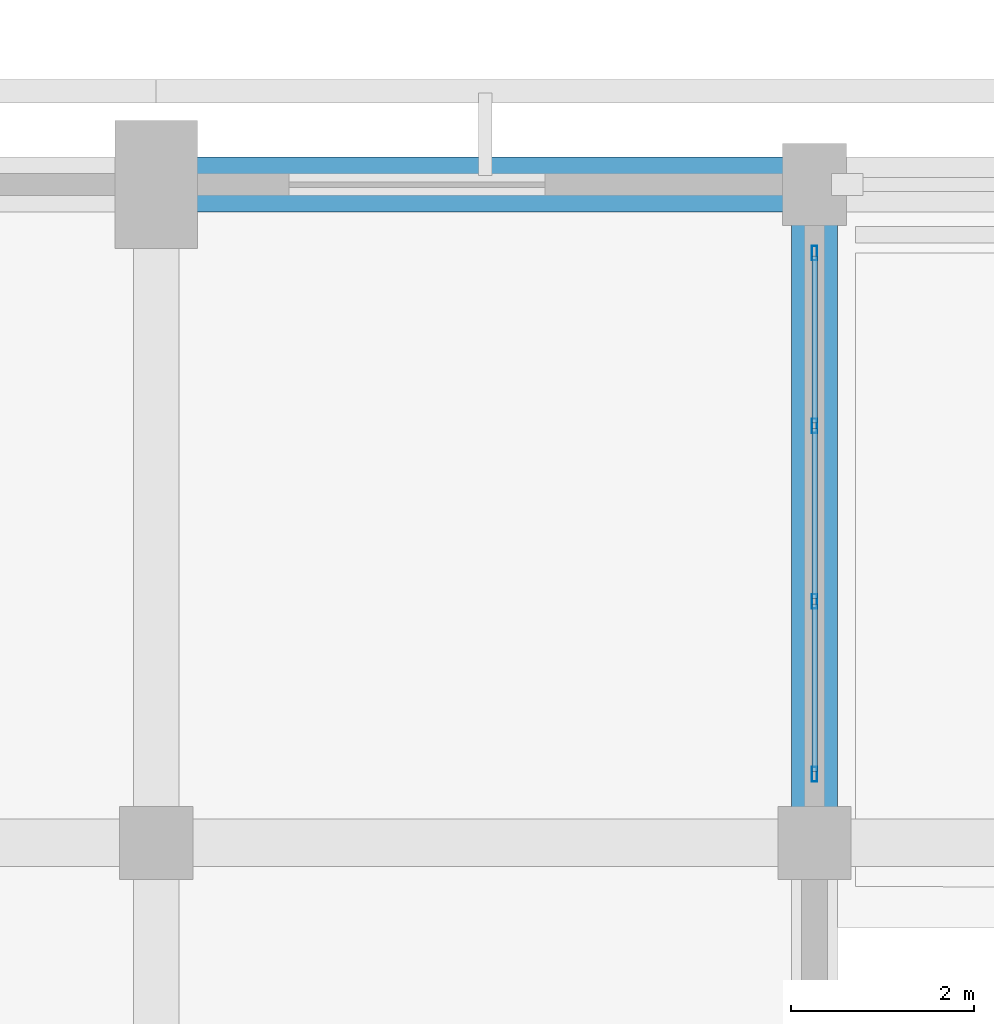
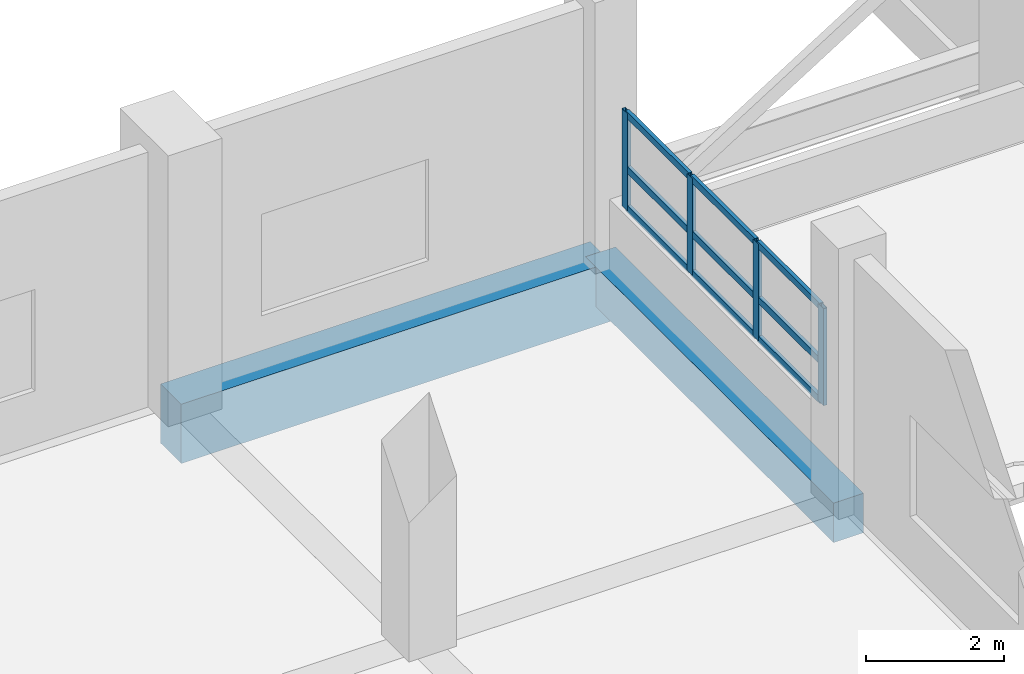
# One storey, part 73 of 140: 13 members, 2 beams, 1 element without a shape of its own.
"""IFC4 building model written with IfcOpenShell, lengths in metres."""

from ifc_helpers import new_model, si_unit, direction, frame, origin, origin_2d, place, context, subcontext, project, spatial, rectangle, hollow_rectangle, extrude, material, layer, layer_set, material_profile, profile_set, type_object, element, aggregate, save


model = new_model("IFC4")

# Units and contexts
model_context = context("Model", 3, precision=1e-05, world=origin(), true_north=direction((0.0, 1.0)))
body_context = subcontext(model_context, "Body", "Model", "MODEL_VIEW")
ifc_project = project(units=[si_unit("LENGTHUNIT", "METRE"), si_unit("AREAUNIT", "SQUARE_METRE"), si_unit("VOLUMEUNIT", "CUBIC_METRE"), si_unit("PLANEANGLEUNIT", "RADIAN"), si_unit("MASSUNIT", "GRAM", prefix="KILO")], contexts=[model_context])

# Site, building, storey
site_placement = place(None, origin())
site = spatial("IfcSite", under=ifc_project, at=site_placement, CompositionType="ELEMENT")
building_placement = place(site_placement, origin())
building = spatial("IfcBuilding", under=site, at=building_placement, Name="Seraya Terrace Polytechnic", CompositionType="ELEMENT")
storey_placement = place(building_placement, frame((0.0, 0.0, 9.60009765625)))
storey = spatial("IfcBuildingStorey", under=building, at=storey_placement, Name="L02", CompositionType="ELEMENT", Elevation=9.60009765625)

# Beams
ifc_material_1 = material(Name="Concrete C40/50", Category="concrete")
ifc_material_profile_1 = material_profile(ifc_material_1, rectangle(XDim=0.60009765625, YDim=1.050048828125, at=origin_2d()), Name="RC 600x1050")
ifc_profile_set_1 = profile_set([ifc_material_profile_1], Name="Concrete C40/50")
beam_type_1 = type_object("IfcBeamType", Name="BM-01", PredefinedType="BEAM", material=ifc_profile_set_1)
beam_1_placement = place(storey_placement, frame((100.800048828125, 79.199951171875, -0.525146484375), z_axis=(1.0, 0.0, 0.0), x_axis=(0.0, 1.0, 0.0)))
element("IfcBeam", 1, at=beam_1_placement, inside=storey, type_object=beam_type_1, Name="Beam BM-01 L02 X (100.8..108.0, 79.2)", PredefinedType="BEAM", context=body_context, shape_type="SweptSolid", body=[
    extrude(rectangle(XDim=0.60009765625, YDim=1.050048828125, at=origin_2d()), origin(), (0.0, 0.0, 1.0), 7.199951171875),
])
ifc_material_profile_2 = material_profile(ifc_material_1, rectangle(XDim=0.5, YDim=0.699951171875, at=origin_2d()), Name="RC 500x700")
ifc_profile_set_2 = profile_set([ifc_material_profile_2], Name="Concrete C40/50")
beam_type_2 = type_object("IfcBeamType", Name="BM-07", PredefinedType="BEAM", material=ifc_profile_set_2)
beam_2_placement = place(storey_placement, frame((108.0, 72.0, -0.35009765625), z_axis=(0.0, 1.0, 0.0), x_axis=(-1.0, 0.0, 0.0)))
element("IfcBeam", 2, at=beam_2_placement, inside=storey, type_object=beam_type_2, Name="Beam BM-07 L02 Y (108.0, 72.0..79.2)", PredefinedType="BEAM", context=body_context, shape_type="SweptSolid", body=[
    extrude(rectangle(XDim=0.5, YDim=0.699951171875, at=origin_2d()), origin(), (0.0, 0.0, 1.0), 7.199951171875),
])

# Curtain wall, members
ifc_material_2 = material(Name="Anodised aluminium EN AW-6063 T6", Category="aluminium")
ifc_layer = layer(ifc_material_2, 0.179931640625, Name="CW-23")
ifc_layer_set = layer_set([ifc_layer], Name="Anodised aluminium EN AW-6063 T6")
curtain_wall_type = type_object("IfcCurtainWallType", Name="CW-23", PredefinedType="NOTDEFINED", material=ifc_layer_set)
curtain_wall_placement = place(storey_placement, origin())
curtain_wall = element("IfcCurtainWall", 3, at=curtain_wall_placement, inside=storey, type_object=curtain_wall_type, Name="Unitised curtain wall CW-23 (CW-L02-059)", PredefinedType="NOTDEFINED")
ifc_material_profile_3 = material_profile(ifc_material_2, hollow_rectangle(XDim=0.06005859375, YDim=0.159912109375, WallThickness=0.00341796875, at=origin_2d()), Name="RHS 160x60x3.5")
ifc_profile_set_3 = profile_set([ifc_material_profile_3], Name="Anodised aluminium EN AW-6063 T6")
member_type_1 = type_object("IfcMemberType", Name="CWM-02", PredefinedType="MULLION", material=ifc_profile_set_3)
member_1_placement = place(storey_placement, frame((108.0, 78.449951171875, 1.239990234375), z_axis=(0.0, 0.0, 1.0), x_axis=(1.0, 0.0, 0.0)))
member_1 = element("IfcMember", 4, at=member_1_placement, type_object=member_type_1, Name="CW-23 mullion 1", PredefinedType="MULLION", context=body_context, shape_type="SweptSolid", body=[
    extrude(hollow_rectangle(XDim=0.06005859375, YDim=0.159912109375, WallThickness=0.00341796875, at=origin_2d()), origin(), (0.0, 0.0, 1.0), 1.719970703125),
])
member_2_placement = place(storey_placement, frame((108.0, 76.56005859375, 1.239990234375), z_axis=(0.0, 0.0, 1.0), x_axis=(1.0, 0.0, 0.0)))
member_2 = element("IfcMember", 5, at=member_2_placement, type_object=member_type_1, Name="CW-23 mullion 2", PredefinedType="MULLION", context=body_context, shape_type="SweptSolid", body=[
    extrude(hollow_rectangle(XDim=0.06005859375, YDim=0.159912109375, WallThickness=0.00341796875, at=origin_2d()), origin(), (0.0, 0.0, 1.0), 1.719970703125),
])
member_3_placement = place(storey_placement, frame((108.0, 74.639892578125, 1.239990234375), z_axis=(0.0, 0.0, 1.0), x_axis=(1.0, 0.0, 0.0)))
member_3 = element("IfcMember", 6, at=member_3_placement, type_object=member_type_1, Name="CW-23 mullion 3", PredefinedType="MULLION", context=body_context, shape_type="SweptSolid", body=[
    extrude(hollow_rectangle(XDim=0.06005859375, YDim=0.159912109375, WallThickness=0.00341796875, at=origin_2d()), origin(), (0.0, 0.0, 1.0), 1.719970703125),
])
member_4_placement = place(storey_placement, frame((108.0, 72.75, 1.239990234375), z_axis=(0.0, 0.0, 1.0), x_axis=(1.0, 0.0, 0.0)))
member_4 = element("IfcMember", 7, at=member_4_placement, type_object=member_type_1, Name="CW-23 mullion 4", PredefinedType="MULLION", context=body_context, shape_type="SweptSolid", body=[
    extrude(hollow_rectangle(XDim=0.06005859375, YDim=0.159912109375, WallThickness=0.00341796875, at=origin_2d()), origin(), (0.0, 0.0, 1.0), 1.719970703125),
])
ifc_material_profile_4 = material_profile(ifc_material_2, hollow_rectangle(XDim=0.06005859375, YDim=0.1201171875, WallThickness=0.003173828125, at=origin_2d()), Name="RHS 120x60x3.2")
ifc_profile_set_4 = profile_set([ifc_material_profile_4], Name="Anodised aluminium EN AW-6063 T6")
member_type_2 = type_object("IfcMemberType", Name="CWT-02", PredefinedType="USERDEFINED", material=ifc_profile_set_4)
member_5_placement = place(storey_placement, frame((108.0, 78.419921875, 1.27001953125), z_axis=(0.0, -1.0, 0.0), x_axis=(1.0, 0.0, 0.0)))
member_5 = element("IfcMember", 8, at=member_5_placement, type_object=member_type_2, Name="CW-23 transom 1.1", ObjectType="TRANSOM", PredefinedType="USERDEFINED", context=body_context, shape_type="SweptSolid", body=[
    extrude(hollow_rectangle(XDim=0.06005859375, YDim=0.1201171875, WallThickness=0.003173828125, at=origin_2d()), origin(), (0.0, 0.0, 1.0), 1.829833984375),
])
member_6_placement = place(storey_placement, frame((108.0, 78.419921875, 1.96240234375), z_axis=(0.0, -1.0, 0.0), x_axis=(1.0, 0.0, 0.0)))
member_6 = element("IfcMember", 9, at=member_6_placement, type_object=member_type_2, Name="CW-23 transom 1.2", ObjectType="TRANSOM", PredefinedType="USERDEFINED", context=body_context, shape_type="SweptSolid", body=[
    extrude(hollow_rectangle(XDim=0.06005859375, YDim=0.1201171875, WallThickness=0.003173828125, at=origin_2d()), origin(), (0.0, 0.0, 1.0), 1.829833984375),
])
member_7_placement = place(storey_placement, frame((108.0, 78.419921875, 2.929931640625), z_axis=(0.0, -1.0, 0.0), x_axis=(1.0, 0.0, 0.0)))
member_7 = element("IfcMember", 10, at=member_7_placement, type_object=member_type_2, Name="CW-23 transom 1.3", ObjectType="TRANSOM", PredefinedType="USERDEFINED", context=body_context, shape_type="SweptSolid", body=[
    extrude(hollow_rectangle(XDim=0.06005859375, YDim=0.1201171875, WallThickness=0.003173828125, at=origin_2d()), origin(), (0.0, 0.0, 1.0), 1.829833984375),
])
member_8_placement = place(storey_placement, frame((108.0, 76.530029296875, 1.27001953125), z_axis=(0.0, -1.0, 0.0), x_axis=(1.0, 0.0, 0.0)))
member_8 = element("IfcMember", 11, at=member_8_placement, type_object=member_type_2, Name="CW-23 transom 2.1", ObjectType="TRANSOM", PredefinedType="USERDEFINED", context=body_context, shape_type="SweptSolid", body=[
    extrude(hollow_rectangle(XDim=0.06005859375, YDim=0.1201171875, WallThickness=0.003173828125, at=origin_2d()), origin(), (0.0, 0.0, 1.0), 1.860107421875),
])
member_9_placement = place(storey_placement, frame((108.0, 76.530029296875, 1.96240234375), z_axis=(0.0, -1.0, 0.0), x_axis=(1.0, 0.0, 0.0)))
member_9 = element("IfcMember", 12, at=member_9_placement, type_object=member_type_2, Name="CW-23 transom 2.2", ObjectType="TRANSOM", PredefinedType="USERDEFINED", context=body_context, shape_type="SweptSolid", body=[
    extrude(hollow_rectangle(XDim=0.06005859375, YDim=0.1201171875, WallThickness=0.003173828125, at=origin_2d()), origin(), (0.0, 0.0, 1.0), 1.860107421875),
])
member_10_placement = place(storey_placement, frame((108.0, 76.530029296875, 2.929931640625), z_axis=(0.0, -1.0, 0.0), x_axis=(1.0, 0.0, 0.0)))
member_10 = element("IfcMember", 13, at=member_10_placement, type_object=member_type_2, Name="CW-23 transom 2.3", ObjectType="TRANSOM", PredefinedType="USERDEFINED", context=body_context, shape_type="SweptSolid", body=[
    extrude(hollow_rectangle(XDim=0.06005859375, YDim=0.1201171875, WallThickness=0.003173828125, at=origin_2d()), origin(), (0.0, 0.0, 1.0), 1.860107421875),
])
member_11_placement = place(storey_placement, frame((108.0, 74.610107421875, 1.27001953125), z_axis=(0.0, -1.0, 0.0), x_axis=(1.0, 0.0, 0.0)))
member_11 = element("IfcMember", 14, at=member_11_placement, type_object=member_type_2, Name="CW-23 transom 3.1", ObjectType="TRANSOM", PredefinedType="USERDEFINED", context=body_context, shape_type="SweptSolid", body=[
    extrude(hollow_rectangle(XDim=0.06005859375, YDim=0.1201171875, WallThickness=0.003173828125, at=origin_2d()), origin(), (0.0, 0.0, 1.0), 1.830078125),
])
member_12_placement = place(storey_placement, frame((108.0, 74.610107421875, 1.96240234375), z_axis=(0.0, -1.0, 0.0), x_axis=(1.0, 0.0, 0.0)))
member_12 = element("IfcMember", 15, at=member_12_placement, type_object=member_type_2, Name="CW-23 transom 3.2", ObjectType="TRANSOM", PredefinedType="USERDEFINED", context=body_context, shape_type="SweptSolid", body=[
    extrude(hollow_rectangle(XDim=0.06005859375, YDim=0.1201171875, WallThickness=0.003173828125, at=origin_2d()), origin(), (0.0, 0.0, 1.0), 1.830078125),
])
member_13_placement = place(storey_placement, frame((108.0, 74.610107421875, 2.929931640625), z_axis=(0.0, -1.0, 0.0), x_axis=(1.0, 0.0, 0.0)))
member_13 = element("IfcMember", 16, at=member_13_placement, type_object=member_type_2, Name="CW-23 transom 3.3", ObjectType="TRANSOM", PredefinedType="USERDEFINED", context=body_context, shape_type="SweptSolid", body=[
    extrude(hollow_rectangle(XDim=0.06005859375, YDim=0.1201171875, WallThickness=0.003173828125, at=origin_2d()), origin(), (0.0, 0.0, 1.0), 1.830078125),
])
aggregate(curtain_wall, [member_1, member_2, member_3, member_4, member_5, member_6, member_7, member_8, member_9, member_10, member_11, member_12, member_13])

save(model, "model.ifc")
